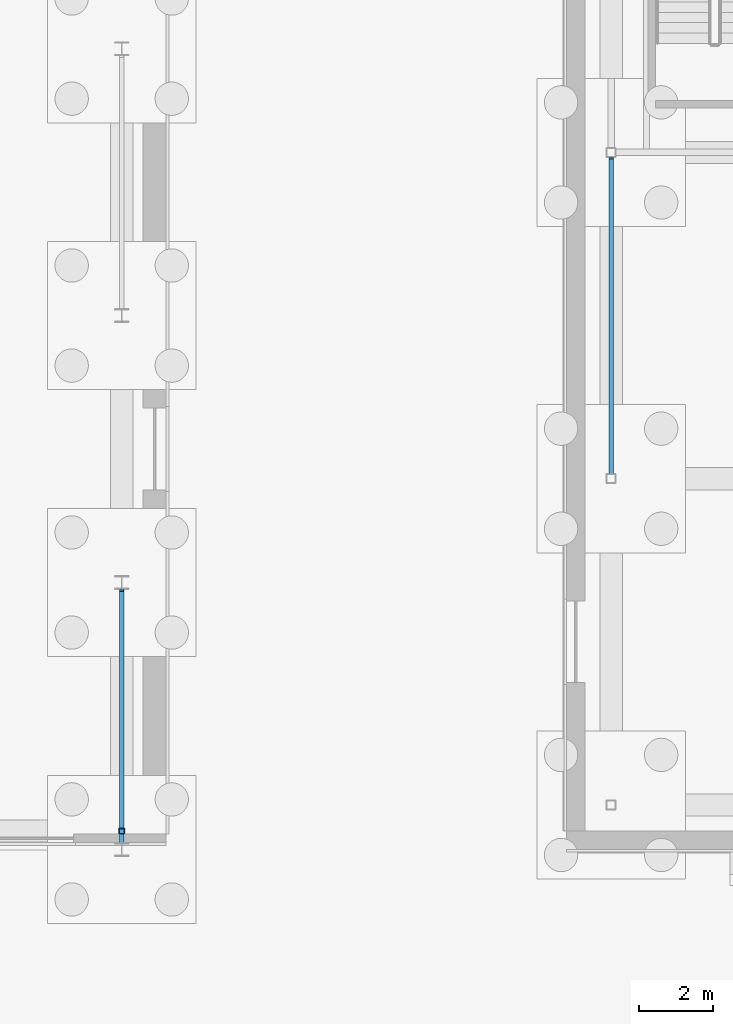
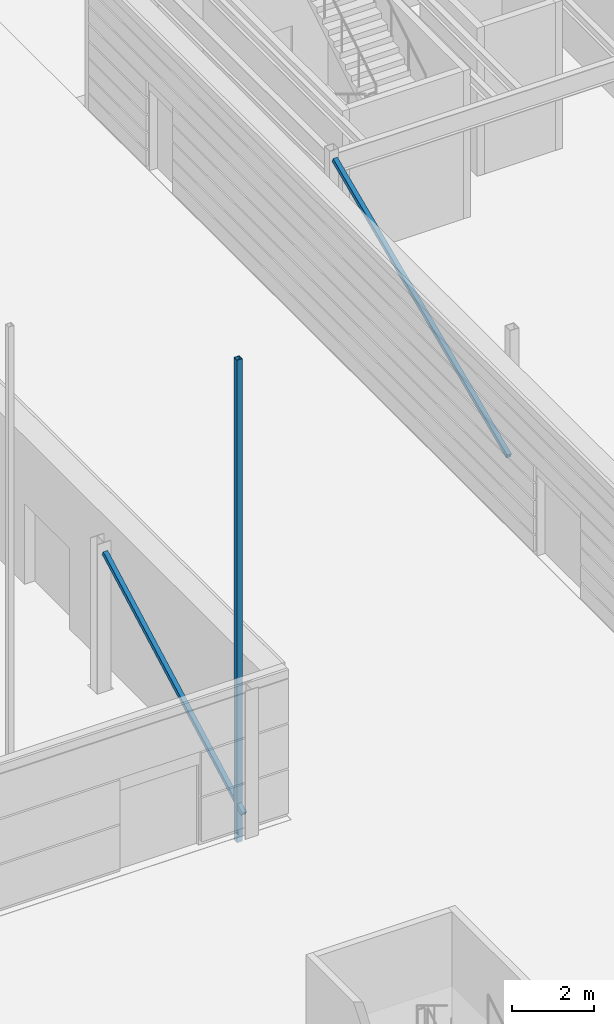
# One storey, part 38 of 139: 3 members.
"""IFC4 building model written with IfcOpenShell, lengths in metres."""

import ifcopenshell
import ifcopenshell.guid

model = None  # the IFC model being written
_history = None  # IfcOwnerHistory: only IFC2X3 demands one
_inside = {}  # id of a spatial element -> (the spatial element, [elements in it])
_under = {}  # id of a project, library or spatial element -> (it, [spatial elements below it])
_declared = {}  # id of a project -> (the project, [libraries it declares])
_typed = {}  # id of a type object -> (the type object, [elements of that type])
_made_of = {}  # id of a material, layer set ... -> (it, [elements and type objects made of it])


def new_model(schema):
    """Start an empty IFC model of exactly this schema.

    Asked for "IFC4X3", IfcOpenShell would pick the latest addendum, in which some entities
    have other attributes; the version numbers below select the first issue.
    IFC2X3 requires an IfcOwnerHistory on every rooted entity: one is made here for all.
    """
    global model, _history
    if schema == "IFC4X3":
        model = ifcopenshell.file(schema_version=(4, 3, 0, 0))
    else:
        model = ifcopenshell.file(schema=schema)
    _inside.clear()
    _under.clear()
    _declared.clear()
    _typed.clear()
    _made_of.clear()
    _history = None
    if model.schema == "IFC2X3":
        org = make("IfcOrganization", Name="unknown")
        user = make(
            "IfcPersonAndOrganization",
            ThePerson=make("IfcPerson", FamilyName="unknown"),
            TheOrganization=org,
        )
        app = make(
            "IfcApplication",
            ApplicationDeveloper=org,
            Version="unknown",
            ApplicationFullName="unknown",
            ApplicationIdentifier="unknown",
        )
        _history = make(
            "IfcOwnerHistory",
            OwningUser=user,
            OwningApplication=app,
            ChangeAction="ADDED",
            CreationDate=0,
        )
    return model


def make(cls, **values):
    """One entity of the class cls with the attributes given. An attribute that is None is left unset."""
    return model.create_entity(
        cls, **{name: value for name, value in values.items() if value is not None}
    )


def rooted(cls, **values):
    """An entity with a GlobalId (a new one), such as an element, a storey or a relation."""
    return make(cls, GlobalId=ifcopenshell.guid.new(), OwnerHistory=_history, **values)


def si_unit(unit_type, name, prefix=None):
    """IfcSIUnit, for example si_unit("LENGTHUNIT", "METRE", prefix="MILLI")."""
    return make("IfcSIUnit", UnitType=unit_type, Prefix=prefix, Name=name)


def assignment(units):
    """IfcUnitAssignment: the units of a project."""
    return None if units is None else make("IfcUnitAssignment", Units=units)


def point(xyz):
    """IfcCartesianPoint."""
    return None if xyz is None else make("IfcCartesianPoint", Coordinates=xyz)


def direction(xyz):
    """IfcDirection."""
    return None if xyz is None else make("IfcDirection", DirectionRatios=xyz)


def frame(location, z_axis=None, x_axis=None):
    """IfcAxis2Placement3D, a coordinate frame: its origin and axes. An axis left out is left unset."""
    return make(
        "IfcAxis2Placement3D",
        Location=point(location),
        Axis=direction(z_axis),
        RefDirection=direction(x_axis),
    )


def frame_2d(location, x_axis=None):
    """IfcAxis2Placement2D, a coordinate frame in the plane: its origin and x axis."""
    return make(
        "IfcAxis2Placement2D", Location=point(location), RefDirection=direction(x_axis)
    )


def origin():
    """The frame at (0, 0, 0) with its axes left unset."""
    return frame((0.0, 0.0, 0.0))


def origin_2d():
    """The frame at (0, 0) in the plane with its x axis left unset."""
    return frame_2d((0.0, 0.0))


def place(relative_to, where):
    """IfcLocalPlacement: puts the frame where relative to a parent placement (None: the world)."""
    return make(
        "IfcLocalPlacement", PlacementRelTo=relative_to, RelativePlacement=where
    )


def context(
    kind, dimensions, precision=None, world=None, true_north=None, identifier=None
):
    """IfcGeometricRepresentationContext, for example the 3D "Model" context."""
    return make(
        "IfcGeometricRepresentationContext",
        ContextIdentifier=identifier,
        ContextType=kind,
        CoordinateSpaceDimension=dimensions,
        Precision=precision,
        WorldCoordinateSystem=world,
        TrueNorth=true_north,
    )


def subcontext(parent, identifier, kind, view, scale=None):
    """IfcGeometricRepresentationSubContext, for example "Body" below "Model"."""
    return make(
        "IfcGeometricRepresentationSubContext",
        ContextIdentifier=identifier,
        ContextType=kind,
        ParentContext=parent,
        TargetScale=scale,
        TargetView=view,
    )


def project(units=None, contexts=None):
    """IfcProject with its units and contexts."""
    return rooted(
        "IfcProject",
        Name="project",
        RepresentationContexts=contexts,
        UnitsInContext=assignment(units),
    )


def spatial(cls, under=None, at=None, **own):
    """A site, building, storey or space (cls), placed at a placement, below another one or the project."""
    s = rooted(cls, ObjectPlacement=at, **own)
    if under is not None:
        _under.setdefault(under.id(), (under, []))[1].append(s)
    return s


def profile(cls, at=None, kind="AREA", **sizes):
    """A parametric profile (cls). Its sizes go by their IFC names, for example OverallWidth=200.0."""
    return make(cls, ProfileType=kind, Position=at, **sizes)


def hollow_rectangle(**sizes):
    """IfcRectangleHollowProfileDef."""
    return profile("IfcRectangleHollowProfileDef", **sizes)


def extrude(swept, where, along, depth):
    """IfcExtrudedAreaSolid: the profile swept, set in the frame where, extruded along a direction by depth."""
    return make(
        "IfcExtrudedAreaSolid",
        SweptArea=swept,
        Position=where,
        ExtrudedDirection=direction(along),
        Depth=depth,
    )


def shape(context_of_items, identifier, shape_type, items):
    """IfcShapeRepresentation: the items that make up one representation, for example the "Body"."""
    return make(
        "IfcShapeRepresentation",
        ContextOfItems=context_of_items,
        RepresentationIdentifier=identifier,
        RepresentationType=shape_type,
        Items=items,
    )


def material(Name=None, Category=None):
    """IfcMaterial."""
    return make("IfcMaterial", Name=Name, Category=Category)


def material_profile(
    of_material, cross_section, Name=None, Category=None, Priority=None
):
    """IfcMaterialProfile: a cross section and its material."""
    return make(
        "IfcMaterialProfile",
        Name=Name,
        Material=of_material,
        Profile=cross_section,
        Priority=Priority,
        Category=Category,
    )


def profile_set(profiles, Name=None, composite=None):
    """IfcMaterialProfileSet."""
    return make(
        "IfcMaterialProfileSet",
        Name=Name,
        MaterialProfiles=profiles,
        CompositeProfile=composite,
    )


def made_of(thing, what):
    """Note that an element or type object is made of a material, layer set ...; save() writes the relation."""
    if what is not None:
        _made_of.setdefault(what.id(), (what, []))[1].append(thing)
    return thing


def type_object(cls, material=None, **own):
    """A type object (cls), such as IfcWallType, which elements share."""
    return made_of(rooted(cls, **own), material)


def element(
    cls,
    number,
    at=None,
    inside=None,
    cuts=None,
    type_object=None,
    material=None,
    context=None,
    identifier="Body",
    shape_type=None,
    held_by="IfcProductDefinitionShape",
    body=None,
    shapes=None,
    **own,
):
    """One element of the class cls, such as IfcWall. Its Tag is "e" and its number.

    at: its placement. inside: the storey or other place that contains it. cuts: it is an
    opening in that element (IfcRelVoidsElement). A single representation is given by context,
    identifier, shape_type and body (its items); several are given by shapes. held_by: the class
    of the entity that holds the representations. save() writes the other relations.
    """
    e = rooted(cls, Tag="e%d" % number, ObjectPlacement=at, **own)
    if body is not None:
        shapes = [shape(context, identifier, shape_type, body)]
    if shapes is not None:
        e.Representation = make(held_by, Representations=shapes)
    if inside is not None:
        _inside.setdefault(inside.id(), (inside, []))[1].append(e)
    if cuts is not None:
        rooted(
            "IfcRelVoidsElement", RelatingBuildingElement=cuts, RelatedOpeningElement=e
        )
    if type_object is not None:
        _typed.setdefault(type_object.id(), (type_object, []))[1].append(e)
    return made_of(e, material)


def aggregate(whole, parts):
    """IfcRelAggregates: a whole, such as a stair, and the parts it consists of."""
    return rooted("IfcRelAggregates", RelatingObject=whole, RelatedObjects=parts)


def save(model, path):
    """Write the relations noted so far, then the file.

    IfcRelAggregates (storeys below a building ...), IfcRelContainedInSpatialStructure (elements
    in a storey), IfcRelDefinesByType, IfcRelAssociatesMaterial and IfcRelDeclares: one each for
    every whole, place, type object, material and project.
    """
    for whole, parts in _under.values():
        aggregate(whole, parts)
    for where, things in _inside.values():
        rooted(
            "IfcRelContainedInSpatialStructure",
            RelatedElements=things,
            RelatingStructure=where,
        )
    for kind, things in _typed.values():
        rooted("IfcRelDefinesByType", RelatedObjects=things, RelatingType=kind)
    for what, things in _made_of.values():
        rooted("IfcRelAssociatesMaterial", RelatedObjects=things, RelatingMaterial=what)
    for by, libraries in _declared.values():
        rooted("IfcRelDeclares", RelatingContext=by, RelatedDefinitions=libraries)
    model.write(path)


model = new_model("IFC4")

# Units and contexts
model_context = context("Model", 3, precision=1e-05, world=origin(), true_north=direction((0.0, 1.0)))
body_context = subcontext(model_context, "Body", "Model", "MODEL_VIEW")
ifc_project = project(units=[si_unit("LENGTHUNIT", "METRE"), si_unit("AREAUNIT", "SQUARE_METRE"), si_unit("VOLUMEUNIT", "CUBIC_METRE"), si_unit("PLANEANGLEUNIT", "RADIAN"), si_unit("MASSUNIT", "GRAM", prefix="KILO")], contexts=[model_context])

# Site, building, storey
site_placement = place(None, origin())
site = spatial("IfcSite", under=ifc_project, at=site_placement, CompositionType="ELEMENT")
building_placement = place(site_placement, origin())
building = spatial("IfcBuilding", under=site, at=building_placement, Name="Verrick Yard Athletic Hall", CompositionType="ELEMENT")
storey_placement = place(building_placement, origin())
storey = spatial("IfcBuildingStorey", under=building, at=storey_placement, Name="L00", CompositionType="ELEMENT", Elevation=0.0)

# Members
ifc_material = material(Name="Structural steel HSS Class C 350W (CSA G40.20/G40.21)", Category="steel")
ifc_material_profile_1 = material_profile(ifc_material, hollow_rectangle(XDim=0.15234375, YDim=0.15234375, WallThickness=0.009521484375, at=origin_2d()), Name="HSS152x152x9.5")
ifc_profile_set_1 = profile_set([ifc_material_profile_1], Name="Structural steel HSS Class C 350W (CSA G40.20/G40.21)")
member_type_1 = type_object("IfcMemberType", Name="HB gable post HSS152x152x9.5", PredefinedType="POST", material=ifc_profile_set_1)
member_1_placement = place(storey_placement, frame((76.0, 72.49462890625, -0.5), z_axis=(0.0, 0.0, 1.0), x_axis=(1.0, 0.0, 0.0)))
element("IfcMember", 1, at=member_1_placement, inside=storey, type_object=member_type_1, Name="HB-GP-BS-14", PredefinedType="POST", context=body_context, shape_type="SweptSolid", body=[
    extrude(hollow_rectangle(XDim=0.15234375, YDim=0.15234375, WallThickness=0.009521484375, at=origin_2d()), origin(), (0.0, 0.0, 1.0), 14.3544921875),
])
ifc_material_profile_2 = material_profile(ifc_material, hollow_rectangle(XDim=0.126953125, YDim=0.126953125, WallThickness=0.009521484375, at=origin_2d()), Name="HSS127x127x9.5")
ifc_profile_set_2 = profile_set([ifc_material_profile_2], Name="Structural steel HSS Class C 350W (CSA G40.20/G40.21)")
member_type_2 = type_object("IfcMemberType", Name="HB wall brace HSS127x127x9.5", PredefinedType="BRACE", material=ifc_profile_set_2)
member_2_placement = place(storey_placement, frame((76.0, 72.208251953125, 0.46630859375), z_axis=(0.0, 0.879758415008, 0.475421004187), x_axis=(-1.0, 0.0, 0.0)))
element("IfcMember", 2, at=member_2_placement, inside=storey, type_object=member_type_2, Name="HB-BRW-BE-1-L00", PredefinedType="BRACE", context=body_context, shape_type="SweptSolid", body=[
    extrude(hollow_rectangle(XDim=0.126953125, YDim=0.126953125, WallThickness=0.009521484375, at=origin_2d()), origin(), (0.0, 0.0, 1.0), 7.710693359375),
])
member_3_placement = place(storey_placement, frame((89.199951171875, 82.152099609375, 0.4609375), z_axis=(0.0, 0.917749235459, 0.397160346479), x_axis=(-1.0, 0.0, 0.0)))
element("IfcMember", 3, at=member_3_placement, inside=storey, type_object=member_type_2, Name="HB-BRW-CW-L00", PredefinedType="BRACE", context=body_context, shape_type="SweptSolid", body=[
    extrude(hollow_rectangle(XDim=0.126953125, YDim=0.126953125, WallThickness=0.009521484375, at=origin_2d()), origin(), (0.0, 0.0, 1.0), 9.257080078125),
])

save(model, "model.ifc")
